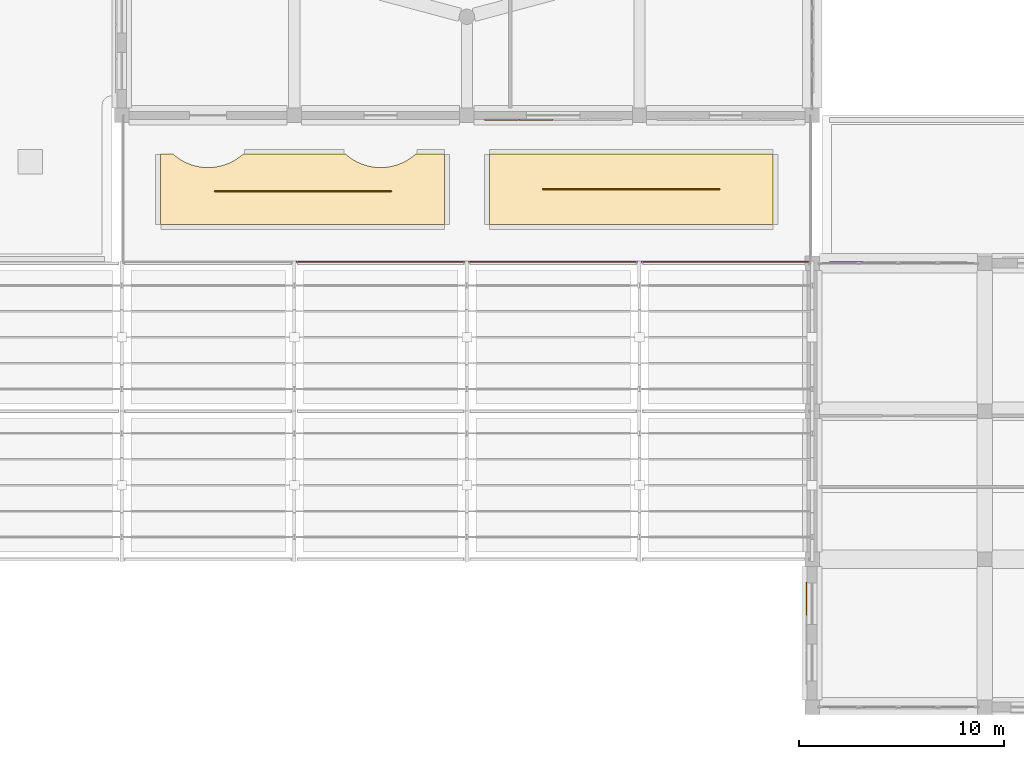
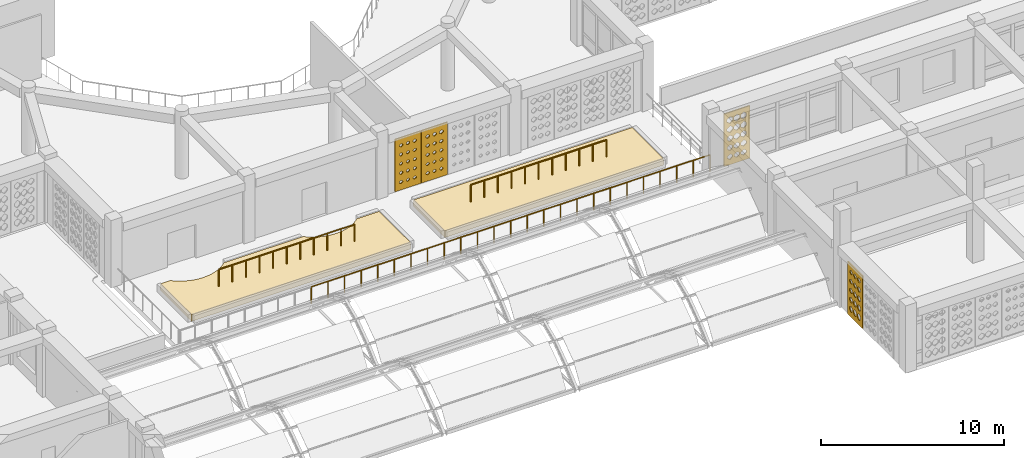
# One storey, part 77 of 100: 6 coverings, 5 railings.
"""IFC4 building model written with IfcOpenShell, lengths in metres."""

from ifc_helpers import new_model, si_unit, derived_unit, direction, frame, origin, origin_2d, place, context, subcontext, project, spatial, polyline, circle, outline, extrude, material, layer, layer_set, type_object, element, save


model = new_model("IFC4")

# Units and contexts
model_context = context("Model", 3, precision=1e-05, world=origin(), true_north=direction((0.0, 1.0)))
body_context = subcontext(model_context, "Body", "Model", "MODEL_VIEW")
ifc_project = project(units=[si_unit("LENGTHUNIT", "METRE"), si_unit("AREAUNIT", "SQUARE_METRE"), si_unit("VOLUMEUNIT", "CUBIC_METRE"), si_unit("PLANEANGLEUNIT", "RADIAN"), si_unit("MASSUNIT", "GRAM", prefix="KILO"), derived_unit("THERMALTRANSMITTANCEUNIT", [(si_unit("POWERUNIT", "WATT"), 1), (si_unit("LENGTHUNIT", "METRE"), -2), (si_unit("THERMODYNAMICTEMPERATUREUNIT", "KELVIN"), -1)])], contexts=[model_context])

# Site, building, storey
site_placement = place(None, origin())
site = spatial("IfcSite", under=ifc_project, at=site_placement, CompositionType="ELEMENT")
building_placement = place(site_placement, origin())
building = spatial("IfcBuilding", under=site, at=building_placement, Name="Veybourne Emporium", CompositionType="ELEMENT")
storey_placement = place(building_placement, frame((0.0, 0.0, 14.39990234375)))
storey = spatial("IfcBuildingStorey", under=building, at=storey_placement, Name="L03", CompositionType="ELEMENT", Elevation=14.39990234375)

# Railings
ifc_material_1 = material(Name="Patinated Architectural Bronze", Category="bronze")
railing_type = type_object("IfcRailingType", Name="Guard_GR-02", PredefinedType="GUARDRAIL", material=ifc_material_1)
railing_1_placement = place(storey_placement, frame((75.60009765625, 21.679931640625, 0.0)))
element("IfcRailing", 1, at=railing_1_placement, inside=storey, type_object=railing_type, Name="L03 terrace perimeter guardrail 003", PredefinedType="GUARDRAIL", context=body_context, shape_type="SweptSolid", body=[
    extrude(circle(Radius=0.02392578125, at=origin_2d()), frame((0.0, 0.0, 1.1259765625), z_axis=(-1.0, 0.0, 0.0), x_axis=(0.0, -1.0, 0.0)), (0.0, 0.0, 1.0), 8.400146484375),
    extrude(circle(Radius=0.02099609375, at=origin_2d()), origin(), (0.0, 0.0, 1.0), 1.101806640625),
    extrude(circle(Radius=0.02099609375, at=origin_2d()), frame((-1.050048828125, 0.0, 0.0)), (0.0, 0.0, 1.0), 1.101806640625),
    extrude(circle(Radius=0.02099609375, at=origin_2d()), frame((-2.10009765625, 0.0, 0.0)), (0.0, 0.0, 1.0), 1.101806640625),
    extrude(circle(Radius=0.02099609375, at=origin_2d()), frame((-3.150146484375, 0.0, 0.0)), (0.0, 0.0, 1.0), 1.101806640625),
    extrude(circle(Radius=0.02099609375, at=origin_2d()), frame((-4.2001953125, 0.0, 0.0)), (0.0, 0.0, 1.0), 1.101806640625),
    extrude(circle(Radius=0.02099609375, at=origin_2d()), frame((-5.25, 0.0, 0.0)), (0.0, 0.0, 1.0), 1.101806640625),
    extrude(circle(Radius=0.02099609375, at=origin_2d()), frame((-6.300048828125, 0.0, 0.0)), (0.0, 0.0, 1.0), 1.101806640625),
    extrude(circle(Radius=0.02099609375, at=origin_2d()), frame((-7.35009765625, 0.0, 0.0)), (0.0, 0.0, 1.0), 1.101806640625),
    extrude(circle(Radius=0.02099609375, at=origin_2d()), frame((-8.400146484375, 0.0, 0.0)), (0.0, 0.0, 1.0), 1.101806640625),
])
for number, where, name in (
    (2, (84.0, 21.679931640625, 0.0), "L03 terrace perimeter guardrail 004"),
    (3, (92.39990234375, 21.679931640625, 0.0), "L03 terrace perimeter guardrail 005"),
):
    element("IfcRailing", number, at=place(storey_placement, frame(where)), inside=storey, type_object=railing_type, Name=name, PredefinedType="GUARDRAIL", context=body_context, shape_type="SweptSolid", body=[
        extrude(circle(Radius=0.02392578125, at=origin_2d()), frame((0.0, 0.0, 1.1259765625), z_axis=(-1.0, 0.0, 0.0), x_axis=(0.0, -1.0, 0.0)), (0.0, 0.0, 1.0), 8.39990234375),
        extrude(circle(Radius=0.02099609375, at=origin_2d()), origin(), (0.0, 0.0, 1.0), 1.101806640625),
        extrude(circle(Radius=0.02099609375, at=origin_2d()), frame((-1.050048828125, 0.0, 0.0)), (0.0, 0.0, 1.0), 1.101806640625),
        extrude(circle(Radius=0.02099609375, at=origin_2d()), frame((-2.10009765625, 0.0, 0.0)), (0.0, 0.0, 1.0), 1.101806640625),
        extrude(circle(Radius=0.02099609375, at=origin_2d()), frame((-3.14990234375, 0.0, 0.0)), (0.0, 0.0, 1.0), 1.101806640625),
        extrude(circle(Radius=0.02099609375, at=origin_2d()), frame((-4.199951171875, 0.0, 0.0)), (0.0, 0.0, 1.0), 1.101806640625),
        extrude(circle(Radius=0.02099609375, at=origin_2d()), frame((-5.25, 0.0, 0.0)), (0.0, 0.0, 1.0), 1.101806640625),
        extrude(circle(Radius=0.02099609375, at=origin_2d()), frame((-6.2998046875, 0.0, 0.0)), (0.0, 0.0, 1.0), 1.101806640625),
        extrude(circle(Radius=0.02099609375, at=origin_2d()), frame((-7.349853515625, 0.0, 0.0)), (0.0, 0.0, 1.0), 1.101806640625),
        extrude(circle(Radius=0.02099609375, at=origin_2d()), frame((-8.39990234375, 0.0, 0.0)), (0.0, 0.0, 1.0), 1.101806640625),
    ])
railing_2_placement = place(storey_placement, frame((63.33154296875, 25.10888671875, 0.440185546875)))
element("IfcRailing", 4, at=railing_2_placement, inside=storey, type_object=railing_type, Name="L03 bronze roof-garden trellis balustrade 1.1", PredefinedType="GUARDRAIL", context=body_context, shape_type="SweptSolid", body=[
    extrude(circle(Radius=0.02392578125, at=origin_2d()), frame((0.0, 0.0, 1.1259765625), z_axis=(1.0, 0.0, 0.0), x_axis=(0.0, 1.0, 0.0)), (0.0, 0.0, 1.0), 8.580078125),
    extrude(circle(Radius=0.02099609375, at=origin_2d()), origin(), (0.0, 0.0, 1.0), 1.101806640625),
    extrude(circle(Radius=0.02099609375, at=origin_2d()), frame((0.85791015625, 0.0, 0.0)), (0.0, 0.0, 1.0), 1.101806640625),
    extrude(circle(Radius=0.02099609375, at=origin_2d()), frame((1.716064453125, 0.0, 0.0)), (0.0, 0.0, 1.0), 1.101806640625),
    extrude(circle(Radius=0.02099609375, at=origin_2d()), frame((2.573974609375, 0.0, 0.0)), (0.0, 0.0, 1.0), 1.101806640625),
    extrude(circle(Radius=0.02099609375, at=origin_2d()), frame((3.43212890625, 0.0, 0.0)), (0.0, 0.0, 1.0), 1.101806640625),
    extrude(circle(Radius=0.02099609375, at=origin_2d()), frame((4.2900390625, 0.0, 0.0)), (0.0, 0.0, 1.0), 1.101806640625),
    extrude(circle(Radius=0.02099609375, at=origin_2d()), frame((5.14794921875, 0.0, 0.0)), (0.0, 0.0, 1.0), 1.101806640625),
    extrude(circle(Radius=0.02099609375, at=origin_2d()), frame((6.006103515625, 0.0, 0.0)), (0.0, 0.0, 1.0), 1.101806640625),
    extrude(circle(Radius=0.02099609375, at=origin_2d()), frame((6.864013671875, 0.0, 0.0)), (0.0, 0.0, 1.0), 1.101806640625),
    extrude(circle(Radius=0.02099609375, at=origin_2d()), frame((7.72216796875, 0.0, 0.0)), (0.0, 0.0, 1.0), 1.101806640625),
    extrude(circle(Radius=0.02099609375, at=origin_2d()), frame((8.580078125, 0.0, 0.0)), (0.0, 0.0, 1.0), 1.101806640625),
])
railing_3_placement = place(storey_placement, frame((79.31005859375, 25.199951171875, 0.440185546875)))
element("IfcRailing", 5, at=railing_3_placement, inside=storey, type_object=railing_type, Name="L03 bronze roof-garden trellis balustrade 1.2", PredefinedType="GUARDRAIL", context=body_context, shape_type="SweptSolid", body=[
    extrude(circle(Radius=0.02392578125, at=origin_2d()), frame((0.0, 0.0, 1.1259765625), z_axis=(1.0, 0.0, 0.0), x_axis=(0.0, 1.0, 0.0)), (0.0, 0.0, 1.0), 8.579833984375),
    extrude(circle(Radius=0.02099609375, at=origin_2d()), origin(), (0.0, 0.0, 1.0), 1.101806640625),
    extrude(circle(Radius=0.02099609375, at=origin_2d()), frame((0.85791015625, 0.0, 0.0)), (0.0, 0.0, 1.0), 1.101806640625),
    extrude(circle(Radius=0.02099609375, at=origin_2d()), frame((1.716064453125, 0.0, 0.0)), (0.0, 0.0, 1.0), 1.101806640625),
    extrude(circle(Radius=0.02099609375, at=origin_2d()), frame((2.573974609375, 0.0, 0.0)), (0.0, 0.0, 1.0), 1.101806640625),
    extrude(circle(Radius=0.02099609375, at=origin_2d()), frame((3.431884765625, 0.0, 0.0)), (0.0, 0.0, 1.0), 1.101806640625),
    extrude(circle(Radius=0.02099609375, at=origin_2d()), frame((4.2900390625, 0.0, 0.0)), (0.0, 0.0, 1.0), 1.101806640625),
    extrude(circle(Radius=0.02099609375, at=origin_2d()), frame((5.14794921875, 0.0, 0.0)), (0.0, 0.0, 1.0), 1.101806640625),
    extrude(circle(Radius=0.02099609375, at=origin_2d()), frame((6.005859375, 0.0, 0.0)), (0.0, 0.0, 1.0), 1.101806640625),
    extrude(circle(Radius=0.02099609375, at=origin_2d()), frame((6.86376953125, 0.0, 0.0)), (0.0, 0.0, 1.0), 1.101806640625),
    extrude(circle(Radius=0.02099609375, at=origin_2d()), frame((7.721923828125, 0.0, 0.0)), (0.0, 0.0, 1.0), 1.101806640625),
    extrude(circle(Radius=0.02099609375, at=origin_2d()), frame((8.579833984375, 0.0, 0.0)), (0.0, 0.0, 1.0), 1.101806640625),
])

# Coverings
ifc_material_2 = material(Name="Intensive Green Roof Build-up", Category="membrane")
ifc_layer_1 = layer(ifc_material_2, 0.43994140625)
ifc_layer_set_1 = layer_set([ifc_layer_1], Name="Intensive Green Roof Build-up")
covering_type_1 = type_object("IfcCoveringType", Name="Roofing_RFG-02", PredefinedType="ROOFING", material=ifc_layer_set_1)
covering_1_placement = place(storey_placement, origin())
element("IfcCovering", 6, at=covering_1_placement, inside=storey, type_object=covering_type_1, Name="L03 intensive planted garden bed 1.1", PredefinedType="ROOFING", context=body_context, shape_type="SweptSolid", body=[
    extrude(outline(polyline([(61.3056640625, 26.909912109375), (61.3525390625, 26.867431640625), (61.426025390625, 26.80712890625), (61.5498046875, 26.71533203125), (61.62890625, 26.662353515625), (61.76123046875, 26.583251953125), (61.84521484375, 26.538330078125), (61.984375, 26.472412109375), (62.072265625, 26.43603515625), (62.217529296875, 26.38427734375), (62.30859375, 26.3564453125), (62.4580078125, 26.319091796875), (62.55126953125, 26.300537109375), (62.703857421875, 26.27783203125), (62.798583984375, 26.2685546875), (62.952392578125, 26.260986328125), (63.047607421875, 26.260986328125), (63.201416015625, 26.2685546875), (63.296142578125, 26.27783203125), (63.44873046875, 26.300537109375), (63.5419921875, 26.319091796875), (63.69140625, 26.3564453125), (63.782470703125, 26.38427734375), (63.927734375, 26.43603515625), (64.015625, 26.472412109375), (64.15478515625, 26.538330078125), (64.23876953125, 26.583251953125), (64.37109375, 26.662353515625), (64.4501953125, 26.71533203125), (64.573974609375, 26.80712890625), (64.6474609375, 26.867431640625), (64.6943359375, 26.909912109375), (69.70556640625, 26.909912109375), (69.75244140625, 26.867431640625), (69.826171875, 26.80712890625), (69.949951171875, 26.71533203125), (70.029052734375, 26.662353515625), (70.1611328125, 26.583251953125), (70.2451171875, 26.538330078125), (70.384521484375, 26.472412109375), (70.472412109375, 26.43603515625), (70.617431640625, 26.38427734375), (70.70849609375, 26.3564453125), (70.85791015625, 26.319091796875), (70.951416015625, 26.300537109375), (71.103759765625, 26.27783203125), (71.198486328125, 26.2685546875), (71.352294921875, 26.260986328125), (71.447509765625, 26.260986328125), (71.6015625, 26.2685546875), (71.6962890625, 26.27783203125), (71.8486328125, 26.300537109375), (71.94189453125, 26.319091796875), (72.091552734375, 26.3564453125), (72.1826171875, 26.38427734375), (72.32763671875, 26.43603515625), (72.41552734375, 26.472412109375), (72.554931640625, 26.538330078125), (72.638916015625, 26.583251953125), (72.77099609375, 26.662353515625), (72.85009765625, 26.71533203125), (72.973876953125, 26.80712890625), (73.047607421875, 26.867431640625), (73.09423828125, 26.909912109375), (74.510009765625, 26.909912109375), (74.510009765625, 23.489990234375), (60.68994140625, 23.489990234375), (60.68994140625, 26.909912109375), (61.3056640625, 26.909912109375)])), origin(), (0.0, 0.0, 1.0), 0.440185546875),
])
covering_2_placement = place(storey_placement, origin())
element("IfcCovering", 7, at=covering_2_placement, inside=storey, type_object=covering_type_1, Name="L03 intensive planted garden bed 1.2", PredefinedType="ROOFING", context=body_context, shape_type="SweptSolid", body=[
    extrude(outline(polyline([(90.510009765625, 26.909912109375), (90.510009765625, 23.489990234375), (76.68994140625, 23.489990234375), (76.68994140625, 26.909912109375), (90.510009765625, 26.909912109375)])), origin(), (0.0, 0.0, 1.0), 0.440185546875),
])
ifc_material_3 = material(Name="Warm-White Perforated Aluminium Screen Alloy", Category="aluminium")
ifc_layer_2 = layer(ifc_material_3, 0.06005859375)
ifc_layer_set_2 = layer_set([ifc_layer_2], Name="Warm-White Perforated Aluminium Screen Alloy")
covering_type_2 = type_object("IfcCoveringType", Name="WaveScreen_SCR-02", PredefinedType="CLADDING", material=ifc_layer_set_2)
covering_3_placement = place(storey_placement, frame((78.9599609375, 28.552001953125, 1.815185546875), z_axis=(0.0, 1.0, 0.0), x_axis=(-1.0, 0.0, 0.0)))
element("IfcCovering", 8, at=covering_3_placement, inside=storey, type_object=covering_type_2, Name="L03 wave-perforated aluminium screen SCR-02 (39T.3)", PredefinedType="CLADDING", context=body_context, shape_type="SweptSolid", body=[
    extrude(outline(polyline([(-0.81982421875, -1.7548828125), (0.81982421875, -1.7548828125), (0.81982421875, 1.7548828125), (-0.81982421875, 1.7548828125), (-0.81982421875, -1.7548828125)]), holes=[polyline([(-0.433349609375, -1.117919921875), (-0.333251953125, -1.188232421875), (-0.333251953125, -1.267578125), (-0.433349609375, -1.338134765625), (-0.533447265625, -1.267578125), (-0.533447265625, -1.188232421875), (-0.433349609375, -1.117919921875)]), polyline([(-0.433349609375, -0.501708984375), (-0.331298828125, -0.573486328125), (-0.331298828125, -0.654541015625), (-0.433349609375, -0.726318359375), (-0.535400390625, -0.654541015625), (-0.535400390625, -0.573486328125), (-0.433349609375, -0.501708984375)]), polyline([(-0.433349609375, 0.116943359375), (-0.32763671875, 0.0419921875), (-0.32763671875, -0.0419921875), (-0.433349609375, -0.116943359375), (-0.5390625, -0.0419921875), (-0.5390625, 0.0419921875), (-0.433349609375, 0.116943359375)]), polyline([(-0.433349609375, 0.73779296875), (-0.322021484375, 0.65869140625), (-0.322021484375, 0.5693359375), (-0.433349609375, 0.490234375), (-0.544677734375, 0.5693359375), (-0.544677734375, 0.65869140625), (-0.433349609375, 0.73779296875)]), polyline([(-0.433349609375, 1.360595703125), (-0.31494140625, 1.275634765625), (-0.31494140625, 1.180419921875), (-0.433349609375, 1.095458984375), (-0.5517578125, 1.180419921875), (-0.5517578125, 1.275634765625), (-0.433349609375, 1.360595703125)]), polyline([(0.0, -1.117919921875), (0.10009765625, -1.1884765625), (0.10009765625, -1.267578125), (0.0, -1.337890625), (-0.10009765625, -1.267578125), (-0.10009765625, -1.1884765625), (0.0, -1.117919921875)]), polyline([(0.0, -0.5029296875), (0.100830078125, -0.573974609375), (0.100830078125, -0.654052734375), (0.0, -0.72509765625), (-0.100830078125, -0.654052734375), (-0.100830078125, -0.573974609375), (0.0, -0.5029296875)]), polyline([(0.0, 0.114501953125), (0.103759765625, 0.041259765625), (0.103759765625, -0.041259765625), (0.0, -0.114501953125), (-0.103759765625, -0.041259765625), (-0.103759765625, 0.041259765625), (0.0, 0.114501953125)]), polyline([(0.0, 0.734375), (0.1083984375, 0.6572265625), (0.1083984375, 0.57080078125), (0.0, 0.49365234375), (-0.1083984375, 0.57080078125), (-0.1083984375, 0.6572265625), (0.0, 0.734375)]), polyline([(0.0, 1.356201171875), (0.114990234375, 1.274169921875), (0.114990234375, 1.181884765625), (0.0, 1.099609375), (-0.114990234375, 1.181884765625), (-0.114990234375, 1.274169921875), (0.0, 1.356201171875)]), polyline([(0.433349609375, -1.11767578125), (0.53369140625, -1.188232421875), (0.53369140625, -1.267578125), (0.433349609375, -1.33837890625), (0.3330078125, -1.267578125), (0.3330078125, -1.188232421875), (0.433349609375, -1.11767578125)]), polyline([(0.433349609375, -0.503662109375), (0.53369140625, -0.57421875), (0.53369140625, -0.65380859375), (0.433349609375, -0.724365234375), (0.3330078125, -0.65380859375), (0.3330078125, -0.57421875), (0.433349609375, -0.503662109375)]), polyline([(0.433349609375, 0.11279296875), (0.53564453125, 0.04052734375), (0.53564453125, -0.04052734375), (0.433349609375, -0.11279296875), (0.3310546875, -0.04052734375), (0.3310546875, 0.04052734375), (0.433349609375, 0.11279296875)]), polyline([(0.433349609375, 0.7314453125), (0.53955078125, 0.65625), (0.53955078125, 0.57177734375), (0.433349609375, 0.49658203125), (0.3271484375, 0.57177734375), (0.3271484375, 0.65625), (0.433349609375, 0.7314453125)]), polyline([(0.433349609375, 1.3525390625), (0.545166015625, 1.272705078125), (0.545166015625, 1.18310546875), (0.433349609375, 1.103515625), (0.321533203125, 1.18310546875), (0.321533203125, 1.272705078125), (0.433349609375, 1.3525390625)])]), origin(), (0.0, 0.0, 1.0), 0.06005859375),
])
ifc_layer_3 = layer(ifc_material_3, 0.06005859375)
ifc_layer_set_3 = layer_set([ifc_layer_3], Name="Warm-White Perforated Aluminium Screen Alloy")
covering_type_3 = type_object("IfcCoveringType", Name="WaveScreen_SCR-03", PredefinedType="CLADDING", material=ifc_layer_set_3)
covering_4_placement = place(storey_placement, frame((77.280029296875, 28.552001953125, 1.815185546875), z_axis=(0.0, 1.0, 0.0), x_axis=(-1.0, 0.0, 0.0)))
element("IfcCovering", 9, at=covering_4_placement, inside=storey, type_object=covering_type_3, Name="L03 wave-perforated aluminium screen SCR-03 (39T.4)", PredefinedType="CLADDING", context=body_context, shape_type="SweptSolid", body=[
    extrude(outline(polyline([(-0.81982421875, -1.7548828125), (0.81982421875, -1.7548828125), (0.81982421875, 1.7548828125), (-0.81982421875, 1.7548828125), (-0.81982421875, -1.7548828125)]), holes=[polyline([(-0.433349609375, -1.11572265625), (-0.33154296875, -1.1875), (-0.33154296875, -1.268310546875), (-0.433349609375, -1.340087890625), (-0.53515625, -1.268310546875), (-0.53515625, -1.1875), (-0.433349609375, -1.11572265625)]), polyline([(-0.433349609375, -0.50390625), (-0.333251953125, -0.57421875), (-0.333251953125, -0.65380859375), (-0.433349609375, -0.72412109375), (-0.533447265625, -0.65380859375), (-0.533447265625, -0.57421875), (-0.433349609375, -0.50390625)]), polyline([(-0.433349609375, 0.110595703125), (-0.3330078125, 0.039794921875), (-0.3330078125, -0.039794921875), (-0.433349609375, -0.110595703125), (-0.53369140625, -0.039794921875), (-0.53369140625, 0.039794921875), (-0.433349609375, 0.110595703125)]), polyline([(-0.433349609375, 0.727294921875), (-0.33056640625, 0.65478515625), (-0.33056640625, 0.5732421875), (-0.433349609375, 0.500732421875), (-0.535888671875, 0.5732421875), (-0.535888671875, 0.65478515625), (-0.433349609375, 0.727294921875)]), polyline([(-0.433349609375, 1.346435546875), (-0.326416015625, 1.2705078125), (-0.326416015625, 1.185302734375), (-0.433349609375, 1.109619140625), (-0.540283203125, 1.185302734375), (-0.540283203125, 1.2705078125), (-0.433349609375, 1.346435546875)]), polyline([(0.0, -1.114013671875), (0.103271484375, -1.18701171875), (0.103271484375, -1.26904296875), (0.0, -1.341796875), (-0.103271484375, -1.26904296875), (-0.103271484375, -1.18701171875), (0.0, -1.114013671875)]), polyline([(0.0, -0.503173828125), (0.1005859375, -0.57421875), (0.1005859375, -0.65380859375), (0.0, -0.724853515625), (-0.1005859375, -0.65380859375), (-0.1005859375, -0.57421875), (0.0, -0.503173828125)]), polyline([(0.0, 0.110107421875), (0.10009765625, 0.03955078125), (0.10009765625, -0.03955078125), (0.0, -0.110107421875), (-0.10009765625, -0.03955078125), (-0.10009765625, 0.03955078125), (0.0, 0.110107421875)]), polyline([(0.0, 0.7255859375), (0.101318359375, 0.654296875), (0.101318359375, 0.57373046875), (0.0, 0.502197265625), (-0.101318359375, 0.57373046875), (-0.101318359375, 0.654296875), (0.0, 0.7255859375)]), polyline([(0.0, 1.34375), (0.104736328125, 1.269775390625), (0.104736328125, 1.186279296875), (0.0, 1.1123046875), (-0.104736328125, 1.186279296875), (-0.104736328125, 1.269775390625), (0.0, 1.34375)]), polyline([(0.433349609375, -1.11181640625), (0.538330078125, -1.186279296875), (0.538330078125, -1.269775390625), (0.433349609375, -1.343994140625), (0.328369140625, -1.269775390625), (0.328369140625, -1.186279296875), (0.433349609375, -1.11181640625)]), polyline([(0.433349609375, -0.502197265625), (0.534912109375, -0.57373046875), (0.534912109375, -0.654296875), (0.433349609375, -0.725830078125), (0.331787109375, -0.654296875), (0.331787109375, -0.57373046875), (0.433349609375, -0.502197265625)]), polyline([(0.433349609375, 0.110107421875), (0.533447265625, 0.03955078125), (0.533447265625, -0.03955078125), (0.433349609375, -0.110107421875), (0.333251953125, -0.03955078125), (0.333251953125, 0.03955078125), (0.433349609375, 0.110107421875)]), polyline([(0.433349609375, 0.724609375), (0.533935546875, 0.65380859375), (0.533935546875, 0.57421875), (0.433349609375, 0.50341796875), (0.332763671875, 0.57421875), (0.332763671875, 0.65380859375), (0.433349609375, 0.724609375)]), polyline([(0.433349609375, 1.341796875), (0.536376953125, 1.268798828125), (0.536376953125, 1.18701171875), (0.433349609375, 1.1142578125), (0.330322265625, 1.18701171875), (0.330322265625, 1.268798828125), (0.433349609375, 1.341796875)])]), origin(), (0.0, 0.0, 1.0), 0.06005859375),
])
ifc_layer_4 = layer(ifc_material_3, 0.06005859375)
ifc_layer_set_4 = layer_set([ifc_layer_4], Name="Warm-White Perforated Aluminium Screen Alloy")
covering_type_4 = type_object("IfcCoveringType", Name="WaveScreen_SCR-04", PredefinedType="CLADDING", material=ifc_layer_set_4)
covering_5_placement = place(storey_placement, frame((92.10205078125, 5.280029296875, 1.815185546875), z_axis=(1.0, 0.0, 0.0), x_axis=(0.0, 1.0, 0.0)))
element("IfcCovering", 10, at=covering_5_placement, inside=storey, type_object=covering_type_4, Name="L03 wave-perforated aluminium screen SCR-04 (49.3)", PredefinedType="CLADDING", context=body_context, shape_type="SweptSolid", body=[
    extrude(outline(polyline([(-0.81982421875, -1.7548828125), (0.81982421875, -1.7548828125), (0.81982421875, 1.7548828125), (-0.81982421875, 1.7548828125), (-0.81982421875, -1.7548828125)]), holes=[polyline([(-0.433349609375, -1.008056640625), (-0.2470703125, -1.148681640625), (-0.2470703125, -1.30712890625), (-0.433349609375, -1.447998046875), (-0.61962890625, -1.30712890625), (-0.61962890625, -1.148681640625), (-0.433349609375, -1.008056640625)]), polyline([(-0.433349609375, -0.40771484375), (-0.254638671875, -0.539794921875), (-0.254638671875, -0.688232421875), (-0.433349609375, -0.8203125), (-0.612060546875, -0.688232421875), (-0.612060546875, -0.539794921875), (-0.433349609375, -0.40771484375)]), polyline([(-0.433349609375, 0.192138671875), (-0.26611328125, 0.069091796875), (-0.26611328125, -0.069091796875), (-0.433349609375, -0.192138671875), (-0.6005859375, -0.069091796875), (-0.6005859375, 0.069091796875), (-0.433349609375, 0.192138671875)]), polyline([(-0.433349609375, 0.7919921875), (-0.277587890625, 0.677978515625), (-0.277587890625, 0.5498046875), (-0.433349609375, 0.43603515625), (-0.5888671875, 0.5498046875), (-0.5888671875, 0.677978515625), (-0.433349609375, 0.7919921875)]), polyline([(-0.433349609375, 1.392333984375), (-0.288818359375, 1.287109375), (-0.288818359375, 1.1689453125), (-0.433349609375, 1.063720703125), (-0.57763671875, 1.1689453125), (-0.57763671875, 1.287109375), (-0.433349609375, 1.392333984375)]), polyline([(0.0, -1.01416015625), (0.184814453125, -1.15087890625), (0.184814453125, -1.304931640625), (0.0, -1.44189453125), (-0.184814453125, -1.304931640625), (-0.184814453125, -1.15087890625), (0.0, -1.01416015625)]), polyline([(0.0, -0.414306640625), (0.173583984375, -0.5419921875), (0.173583984375, -0.685791015625), (0.0, -0.813720703125), (-0.173583984375, -0.685791015625), (-0.173583984375, -0.5419921875), (0.0, -0.414306640625)]), polyline([(0.0, 0.185546875), (0.161865234375, 0.06689453125), (0.161865234375, -0.06689453125), (0.0, -0.185546875), (-0.161865234375, -0.06689453125), (-0.161865234375, 0.06689453125), (0.0, 0.185546875)]), polyline([(0.0, 0.78564453125), (0.150390625, 0.67578125), (0.150390625, 0.55224609375), (0.0, 0.4423828125), (-0.150390625, 0.55224609375), (-0.150390625, 0.67578125), (0.0, 0.78564453125)]), polyline([(0.0, 1.38623046875), (0.139404296875, 1.284912109375), (0.139404296875, 1.1708984375), (0.0, 1.069580078125), (-0.139404296875, 1.1708984375), (-0.139404296875, 1.284912109375), (0.0, 1.38623046875)]), polyline([(0.433349609375, -1.0205078125), (0.613037109375, -1.1533203125), (0.613037109375, -1.302734375), (0.433349609375, -1.435546875), (0.253662109375, -1.302734375), (0.253662109375, -1.1533203125), (0.433349609375, -1.0205078125)]), polyline([(0.433349609375, -0.420654296875), (0.6015625, -0.54443359375), (0.6015625, -0.68359375), (0.433349609375, -0.807373046875), (0.26513671875, -0.68359375), (0.26513671875, -0.54443359375), (0.433349609375, -0.420654296875)]), polyline([(0.433349609375, 0.17919921875), (0.590087890625, 0.064453125), (0.590087890625, -0.064453125), (0.433349609375, -0.17919921875), (0.276611328125, -0.064453125), (0.276611328125, 0.064453125), (0.433349609375, 0.17919921875)]), polyline([(0.433349609375, 0.779541015625), (0.578857421875, 0.673583984375), (0.578857421875, 0.554443359375), (0.433349609375, 0.448486328125), (0.287841796875, 0.554443359375), (0.287841796875, 0.673583984375), (0.433349609375, 0.779541015625)]), polyline([(0.433349609375, 1.380615234375), (0.568115234375, 1.282958984375), (0.568115234375, 1.173095703125), (0.433349609375, 1.075439453125), (0.298583984375, 1.173095703125), (0.298583984375, 1.282958984375), (0.433349609375, 1.380615234375)])]), origin(), (0.0, 0.0, 1.0), 0.06005859375),
])
covering_6_placement = place(storey_placement, frame((94.080078125, 21.693115234375, 1.815185546875), z_axis=(0.0, -1.0, 0.0), x_axis=(1.0, 0.0, 0.0)))
element("IfcCovering", 11, at=covering_6_placement, inside=storey, type_object=covering_type_4, Name="L03 wave-perforated aluminium screen SCR-04 (51C.1)", PredefinedType="CLADDING", context=body_context, shape_type="SweptSolid", body=[
    extrude(outline(polyline([(-0.81982421875, -1.7548828125), (0.81982421875, -1.7548828125), (0.81982421875, 1.7548828125), (-0.81982421875, 1.7548828125), (-0.81982421875, -1.7548828125)]), holes=[polyline([(-0.433349609375, -1.05029296875), (-0.278076171875, -1.1640625), (-0.278076171875, -1.2919921875), (-0.433349609375, -1.40576171875), (-0.588623046875, -1.2919921875), (-0.588623046875, -1.1640625), (-0.433349609375, -1.05029296875)]), polyline([(-0.433349609375, -0.422119140625), (-0.266357421875, -0.544921875), (-0.266357421875, -0.68310546875), (-0.433349609375, -0.805908203125), (-0.60009765625, -0.68310546875), (-0.60009765625, -0.544921875), (-0.433349609375, -0.422119140625)]), polyline([(-0.433349609375, 0.205810546875), (-0.2548828125, 0.07421875), (-0.2548828125, -0.07421875), (-0.433349609375, -0.205810546875), (-0.61181640625, -0.07421875), (-0.61181640625, 0.07421875), (-0.433349609375, 0.205810546875)]), polyline([(-0.433349609375, 0.83349609375), (-0.2470703125, 0.693115234375), (-0.2470703125, 0.534912109375), (-0.433349609375, 0.394287109375), (-0.61962890625, 0.534912109375), (-0.61962890625, 0.693115234375), (-0.433349609375, 0.83349609375)]), polyline([(-0.433349609375, 1.460693359375), (-0.2470703125, 1.311767578125), (-0.2470703125, 1.144287109375), (-0.433349609375, 0.995361328125), (-0.61962890625, 1.144287109375), (-0.61962890625, 1.311767578125), (-0.433349609375, 1.460693359375)]), polyline([(0.0, -1.0439453125), (0.16064453125, -1.16162109375), (0.16064453125, -1.294189453125), (0.0, -1.412109375), (-0.16064453125, -1.294189453125), (-0.16064453125, -1.16162109375), (0.0, -1.0439453125)]), polyline([(0.0, -0.415771484375), (0.172119140625, -0.54248046875), (0.172119140625, -0.685302734375), (0.0, -0.812255859375), (-0.172119140625, -0.685302734375), (-0.172119140625, -0.54248046875), (0.0, -0.415771484375)]), polyline([(0.0, 0.212158203125), (0.18359375, 0.076416015625), (0.18359375, -0.076416015625), (0.0, -0.212158203125), (-0.18359375, -0.076416015625), (-0.18359375, 0.076416015625), (0.0, 0.212158203125)]), polyline([(0.0, 0.839599609375), (0.186279296875, 0.6953125), (0.186279296875, 0.53271484375), (0.0, 0.388427734375), (-0.186279296875, 0.53271484375), (-0.186279296875, 0.6953125), (0.0, 0.839599609375)]), polyline([(0.0, 1.466064453125), (0.186279296875, 1.313720703125), (0.186279296875, 1.142333984375), (0.0, 0.989990234375), (-0.186279296875, 1.142333984375), (-0.186279296875, 1.313720703125), (0.0, 1.466064453125)]), polyline([(0.433349609375, -1.03759765625), (0.59912109375, -1.159423828125), (0.59912109375, -1.296630859375), (0.433349609375, -1.41845703125), (0.267578125, -1.296630859375), (0.267578125, -1.159423828125), (0.433349609375, -1.03759765625)]), polyline([(0.433349609375, -0.409423828125), (0.610595703125, -0.540283203125), (0.610595703125, -0.687744140625), (0.433349609375, -0.818603515625), (0.255859375, -0.687744140625), (0.255859375, -0.540283203125), (0.433349609375, -0.409423828125)]), polyline([(0.433349609375, 0.218505859375), (0.61962890625, 0.07861328125), (0.61962890625, -0.07861328125), (0.433349609375, -0.218505859375), (0.2470703125, -0.07861328125), (0.2470703125, 0.07861328125), (0.433349609375, 0.218505859375)]), polyline([(0.433349609375, 0.845458984375), (0.61962890625, 0.697265625), (0.61962890625, 0.53076171875), (0.433349609375, 0.382568359375), (0.2470703125, 0.53076171875), (0.2470703125, 0.697265625), (0.433349609375, 0.845458984375)]), polyline([(0.433349609375, 1.47119140625), (0.61962890625, 1.315673828125), (0.61962890625, 1.140380859375), (0.433349609375, 0.984619140625), (0.2470703125, 1.140380859375), (0.2470703125, 1.315673828125), (0.433349609375, 1.47119140625)])]), origin(), (0.0, 0.0, 1.0), 0.06005859375),
])

save(model, "model.ifc")
